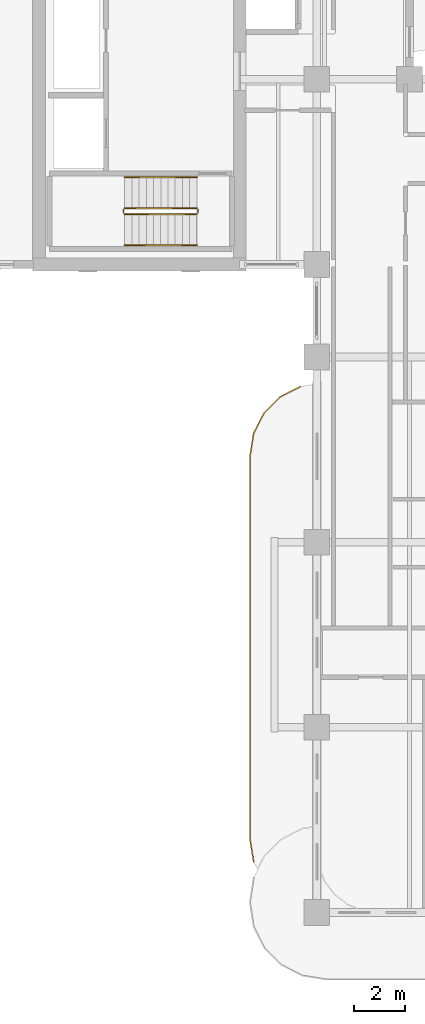
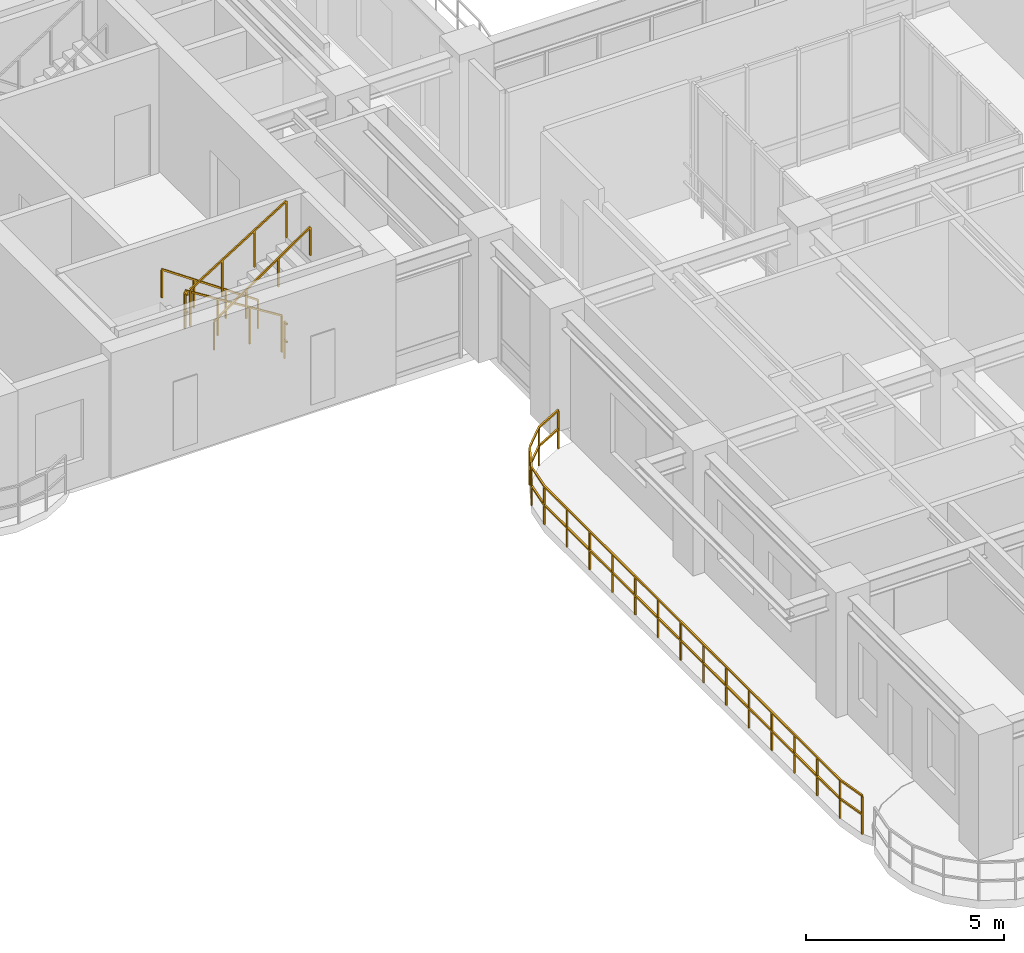
# One storey, part 17 of 20: 7 railings.
"""IFC4 building model written with IfcOpenShell, lengths in metres."""

from ifc_helpers import new_model, si_unit, derived_unit, direction, frame, origin, origin_2d, place, context, subcontext, project, spatial, rectangle, extrude, material, type_object, element, save


model = new_model("IFC4")

# Units and contexts
model_context = context("Model", 3, precision=1e-05, world=origin(), true_north=direction((0.0, 1.0)))
body_context = subcontext(model_context, "Body", "Model", "MODEL_VIEW")
ifc_project = project(units=[si_unit("LENGTHUNIT", "METRE"), si_unit("AREAUNIT", "SQUARE_METRE"), si_unit("VOLUMEUNIT", "CUBIC_METRE"), si_unit("PLANEANGLEUNIT", "RADIAN"), si_unit("MASSUNIT", "GRAM", prefix="KILO"), si_unit("THERMODYNAMICTEMPERATUREUNIT", "KELVIN"), si_unit("POWERUNIT", "WATT"), derived_unit("THERMALTRANSMITTANCEUNIT", [(si_unit("POWERUNIT", "WATT"), 1), (si_unit("AREAUNIT", "SQUARE_METRE"), -1), (si_unit("THERMODYNAMICTEMPERATUREUNIT", "KELVIN"), -1)])], contexts=[model_context])

# Site, building, storey
site_placement = place(None, origin())
site = spatial("IfcSite", under=ifc_project, at=site_placement, CompositionType="ELEMENT")
building_placement = place(site_placement, origin())
building = spatial("IfcBuilding", under=site, at=building_placement, Name="Zahravan Archway Hotel and Residences", CompositionType="ELEMENT")
storey_placement = place(building_placement, frame((0.0, 0.0, 161.85009765625)))
storey = spatial("IfcBuildingStorey", under=building, at=storey_placement, Name="L40", CompositionType="ELEMENT", Elevation=161.85009765625)

# Railings
ifc_material_1 = material(Name="Bronze & Laminated Glass Balustrade", Category="glass")
railing_type_1 = type_object("IfcRailingType", Name="RL-BAL-1200", PredefinedType="BALUSTRADE", material=ifc_material_1)
railing_1_placement = place(storey_placement, frame((11.939453125, 1.96923828125, 0.0)))
element("IfcRailing", 1, at=railing_1_placement, inside=storey, type_object=railing_type_1, Name="L40 Balustrade RL-SLB-BAL-L40-WA-1", PredefinedType="BALUSTRADE", context=body_context, shape_type="SweptSolid", body=[
    extrude(rectangle(XDim=0.048095703125, YDim=0.048095703125, at=origin_2d()), frame((0.0, 0.0, 1.17578125), z_axis=(-0.156314005608, 0.987707411965, 0.0), x_axis=(-0.987707411965, -0.156314005608, 0.0)), (0.0, 0.0, 1.0), 0.891845703125),
    extrude(rectangle(XDim=0.048095703125, YDim=0.048095703125, at=origin_2d()), frame((0.0, 0.0, 0.60009765625), z_axis=(-0.156314005608, 0.987707411965, 0.0), x_axis=(-0.987707411965, -0.156314005608, 0.0)), (0.0, 0.0, 1.0), 0.891845703125),
    extrude(rectangle(XDim=0.048095703125, YDim=0.048095703125, at=origin_2d()), frame((-0.139404296875, 0.880859375, 1.17578125), z_axis=(0.0, 1.0, 0.0), x_axis=(-1.0, 0.0, 0.0)), (0.0, 0.0, 1.0), 14.89990234375),
    extrude(rectangle(XDim=0.048095703125, YDim=0.048095703125, at=origin_2d()), frame((-0.139404296875, 0.880859375, 0.60009765625), z_axis=(0.0, 1.0, 0.0), x_axis=(-1.0, 0.0, 0.0)), (0.0, 0.0, 1.0), 14.89990234375),
    extrude(rectangle(XDim=0.048095703125, YDim=0.048095703125, at=origin_2d()), frame((-0.139404296875, 15.78076171875, 1.17578125), z_axis=(0.156356282588, 0.987700720307, 0.0), x_axis=(-0.987700720307, 0.156356282588, 0.0)), (0.0, 0.0, 1.0), 0.8916015625),
    extrude(rectangle(XDim=0.048095703125, YDim=0.048095703125, at=origin_2d()), frame((-0.139404296875, 15.78076171875, 0.60009765625), z_axis=(0.156356282588, 0.987700720307, 0.0), x_axis=(-0.987700720307, 0.156356282588, 0.0)), (0.0, 0.0, 1.0), 0.8916015625),
    extrude(rectangle(XDim=0.048095703125, YDim=0.048095703125, at=origin_2d()), frame((0.0, 16.661376953125, 1.17578125), z_axis=(0.45388067135, 0.891062476022, 0.0), x_axis=(-0.891062476022, 0.45388067135, 0.0)), (0.0, 0.0, 1.0), 0.891845703125),
    extrude(rectangle(XDim=0.048095703125, YDim=0.048095703125, at=origin_2d()), frame((0.0, 16.661376953125, 0.60009765625), z_axis=(0.45388067135, 0.891062476022, 0.0), x_axis=(-0.891062476022, 0.45388067135, 0.0)), (0.0, 0.0, 1.0), 0.891845703125),
    extrude(rectangle(XDim=0.048095703125, YDim=0.048095703125, at=origin_2d()), frame((0.40478515625, 17.4560546875, 1.17578125), z_axis=(0.70724367147, 0.706969864397, 0.0), x_axis=(-0.706969864397, 0.70724367147, 0.0)), (0.0, 0.0, 1.0), 0.8916015625),
    extrude(rectangle(XDim=0.048095703125, YDim=0.048095703125, at=origin_2d()), frame((0.40478515625, 17.4560546875, 0.60009765625), z_axis=(0.70724367147, 0.706969864397, 0.0), x_axis=(-0.706969864397, 0.70724367147, 0.0)), (0.0, 0.0, 1.0), 0.8916015625),
    extrude(rectangle(XDim=0.048095703125, YDim=0.048095703125, at=origin_2d()), frame((1.035400390625, 18.08642578125, 1.17578125), z_axis=(0.891006060389, 0.453991409995, 0.0), x_axis=(-0.453991409995, 0.891006060389, 0.0)), (0.0, 0.0, 1.0), 0.8916015625),
    extrude(rectangle(XDim=0.048095703125, YDim=0.048095703125, at=origin_2d()), frame((1.035400390625, 18.08642578125, 0.60009765625), z_axis=(0.891006060389, 0.453991409995, 0.0), x_axis=(-0.453991409995, 0.891006060389, 0.0)), (0.0, 0.0, 1.0), 0.8916015625),
    extrude(rectangle(XDim=0.0419921875, YDim=0.0419921875, at=origin_2d()), origin(), (0.0, 0.0, 1.0), 1.15185546875),
    extrude(rectangle(XDim=0.0419921875, YDim=0.0419921875, at=origin_2d()), frame((-0.139404296875, 0.880859375, 0.0)), (0.0, 0.0, 1.0), 1.15185546875),
    extrude(rectangle(XDim=0.0419921875, YDim=0.0419921875, at=origin_2d()), frame((-0.139404296875, 2.027099609375, 0.0)), (0.0, 0.0, 1.0), 1.15185546875),
    extrude(rectangle(XDim=0.0419921875, YDim=0.0419921875, at=origin_2d()), frame((-0.139404296875, 3.173095703125, 0.0)), (0.0, 0.0, 1.0), 1.15185546875),
    extrude(rectangle(XDim=0.0419921875, YDim=0.0419921875, at=origin_2d()), frame((-0.139404296875, 4.3193359375, 0.0)), (0.0, 0.0, 1.0), 1.15185546875),
    extrude(rectangle(XDim=0.0419921875, YDim=0.0419921875, at=origin_2d()), frame((-0.139404296875, 5.46533203125, 0.0)), (0.0, 0.0, 1.0), 1.15185546875),
    extrude(rectangle(XDim=0.0419921875, YDim=0.0419921875, at=origin_2d()), frame((-0.139404296875, 6.611572265625, 0.0)), (0.0, 0.0, 1.0), 1.15185546875),
    extrude(rectangle(XDim=0.0419921875, YDim=0.0419921875, at=origin_2d()), frame((-0.139404296875, 7.7578125, 0.0)), (0.0, 0.0, 1.0), 1.15185546875),
    extrude(rectangle(XDim=0.0419921875, YDim=0.0419921875, at=origin_2d()), frame((-0.139404296875, 8.90380859375, 0.0)), (0.0, 0.0, 1.0), 1.15185546875),
    extrude(rectangle(XDim=0.0419921875, YDim=0.0419921875, at=origin_2d()), frame((-0.139404296875, 10.050048828125, 0.0)), (0.0, 0.0, 1.0), 1.15185546875),
    extrude(rectangle(XDim=0.0419921875, YDim=0.0419921875, at=origin_2d()), frame((-0.139404296875, 11.1962890625, 0.0)), (0.0, 0.0, 1.0), 1.15185546875),
    extrude(rectangle(XDim=0.0419921875, YDim=0.0419921875, at=origin_2d()), frame((-0.139404296875, 12.34228515625, 0.0)), (0.0, 0.0, 1.0), 1.15185546875),
    extrude(rectangle(XDim=0.0419921875, YDim=0.0419921875, at=origin_2d()), frame((-0.139404296875, 13.488525390625, 0.0)), (0.0, 0.0, 1.0), 1.15185546875),
    extrude(rectangle(XDim=0.0419921875, YDim=0.0419921875, at=origin_2d()), frame((-0.139404296875, 14.634521484375, 0.0)), (0.0, 0.0, 1.0), 1.15185546875),
    extrude(rectangle(XDim=0.0419921875, YDim=0.0419921875, at=origin_2d()), frame((-0.139404296875, 15.78076171875, 0.0)), (0.0, 0.0, 1.0), 1.15185546875),
    extrude(rectangle(XDim=0.0419921875, YDim=0.0419921875, at=origin_2d()), frame((0.0, 16.661376953125, 0.0)), (0.0, 0.0, 1.0), 1.15185546875),
    extrude(rectangle(XDim=0.0419921875, YDim=0.0419921875, at=origin_2d()), frame((0.40478515625, 17.4560546875, 0.0)), (0.0, 0.0, 1.0), 1.15185546875),
    extrude(rectangle(XDim=0.0419921875, YDim=0.0419921875, at=origin_2d()), frame((1.035400390625, 18.08642578125, 0.0)), (0.0, 0.0, 1.0), 1.15185546875),
    extrude(rectangle(XDim=0.0419921875, YDim=0.0419921875, at=origin_2d()), frame((1.829833984375, 18.4912109375, 0.0)), (0.0, 0.0, 1.0), 1.15185546875),
])
ifc_material_2 = material(Name="Painted Tubular Steel", Category="steel")
railing_type_2 = type_object("IfcRailingType", Name="RL-STG-1150", PredefinedType="GUARDRAIL", material=ifc_material_2)
railing_2_placement = place(storey_placement, frame((9.72998046875, 27.389892578125, 0.1748046875)))
element("IfcRailing", 2, at=railing_2_placement, inside=storey, type_object=railing_type_2, Name="L40 ST-B1 stair guard 1", PredefinedType="GUARDRAIL", context=body_context, shape_type="SweptSolid", body=[
    extrude(rectangle(XDim=0.048095703125, YDim=0.048095703125, at=origin_2d()), frame((0.0, 0.0, 1.1259765625), z_axis=(-0.848002457836, 0.0, 0.529992293815), x_axis=(0.0, -1.0, 0.0)), (0.0, 0.0, 1.0), 3.302001953125),
    extrude(rectangle(XDim=0.0419921875, YDim=0.0419921875, at=origin_2d()), origin(), (0.0, 0.0, 1.0), 1.101806640625),
    extrude(rectangle(XDim=0.0419921875, YDim=0.0419921875, at=origin_2d()), frame((-0.933349609375, 0.0, 0.583251953125)), (0.0, 0.0, 1.0), 1.101806640625),
    extrude(rectangle(XDim=0.0419921875, YDim=0.0419921875, at=origin_2d()), frame((-1.86669921875, 0.0, 1.166748046875)), (0.0, 0.0, 1.0), 1.101806640625),
    extrude(rectangle(XDim=0.0419921875, YDim=0.0419921875, at=origin_2d()), frame((-2.800048828125, 0.0, 1.75)), (0.0, 0.0, 1.0), 1.101806640625),
])
railing_3_placement = place(storey_placement, frame((6.8798828125, 27.340087890625, 1.9248046875)))
element("IfcRailing", 3, at=railing_3_placement, inside=storey, type_object=railing_type_2, Name="L40 ST-B1 stair guard 2", PredefinedType="GUARDRAIL", context=body_context, shape_type="SweptSolid", body=[
    extrude(rectangle(XDim=0.048095703125, YDim=0.048095703125, at=origin_2d()), frame((0.0, 0.0, 1.1259765625), z_axis=(0.0, -1.0, 0.0), x_axis=(1.0, 0.0, 0.0)), (0.0, 0.0, 1.0), 0.14013671875),
    extrude(rectangle(XDim=0.048095703125, YDim=0.048095703125, at=origin_2d()), frame((0.0, 0.0, 0.574951171875), z_axis=(0.0, -1.0, 0.0), x_axis=(1.0, 0.0, 0.0)), (0.0, 0.0, 1.0), 0.14013671875),
    extrude(rectangle(XDim=0.0419921875, YDim=0.0419921875, at=origin_2d()), origin(), (0.0, 0.0, 1.0), 1.101806640625),
])
railing_4_placement = place(storey_placement, frame((6.929931640625, 27.14990234375, 2.099853515625)))
element("IfcRailing", 4, at=railing_4_placement, inside=storey, type_object=railing_type_2, Name="L40 ST-B1 stair guard 3", PredefinedType="GUARDRAIL", context=body_context, shape_type="SweptSolid", body=[
    extrude(rectangle(XDim=0.048095703125, YDim=0.048095703125, at=origin_2d()), frame((0.0, 0.0, 1.1259765625), z_axis=(0.848002457836, 0.0, 0.529992293815), x_axis=(0.0, 1.0, 0.0)), (0.0, 0.0, 1.0), 3.302001953125),
    extrude(rectangle(XDim=0.0419921875, YDim=0.0419921875, at=origin_2d()), origin(), (0.0, 0.0, 1.0), 1.101806640625),
    extrude(rectangle(XDim=0.0419921875, YDim=0.0419921875, at=origin_2d()), frame((0.933349609375, 0.0, 0.583251953125)), (0.0, 0.0, 1.0), 1.101806640625),
    extrude(rectangle(XDim=0.0419921875, YDim=0.0419921875, at=origin_2d()), frame((1.86669921875, 0.0, 1.166748046875)), (0.0, 0.0, 1.0), 1.101806640625),
    extrude(rectangle(XDim=0.0419921875, YDim=0.0419921875, at=origin_2d()), frame((2.800048828125, 0.0, 1.75)), (0.0, 0.0, 1.0), 1.101806640625),
])
railing_5_placement = place(storey_placement, frame((9.780029296875, 27.340087890625, 0.0)))
element("IfcRailing", 5, at=railing_5_placement, inside=storey, type_object=railing_type_2, Name="L40 ST-B1 stair guard 4", PredefinedType="GUARDRAIL", context=body_context, shape_type="SweptSolid", body=[
    extrude(rectangle(XDim=0.048095703125, YDim=0.048095703125, at=origin_2d()), frame((0.0, 0.0, 1.1259765625), z_axis=(0.0, -1.0, 0.0), x_axis=(1.0, 0.0, 0.0)), (0.0, 0.0, 1.0), 0.14013671875),
    extrude(rectangle(XDim=0.048095703125, YDim=0.048095703125, at=origin_2d()), frame((0.0, 0.0, 0.574951171875), z_axis=(0.0, -1.0, 0.0), x_axis=(1.0, 0.0, 0.0)), (0.0, 0.0, 1.0), 0.14013671875),
    extrude(rectangle(XDim=0.0419921875, YDim=0.0419921875, at=origin_2d()), origin(), (0.0, 0.0, 1.0), 1.101806640625),
])
ifc_material_3 = material(Name="Brushed Stainless Steel", Category="steel")
railing_type_3 = type_object("IfcRailingType", Name="RL-STH-900", PredefinedType="HANDRAIL", material=ifc_material_3)
railing_6_placement = place(storey_placement, frame((9.72998046875, 28.590087890625, 0.1748046875)))
element("IfcRailing", 6, at=railing_6_placement, inside=storey, type_object=railing_type_3, Name="L40 ST-B1 stair handrail 1", PredefinedType="HANDRAIL", context=body_context, shape_type="SweptSolid", body=[
    extrude(rectangle(XDim=0.048095703125, YDim=0.048095703125, at=origin_2d()), frame((0.0, 0.0, 0.8759765625), z_axis=(-0.824039827795, 0.0, 0.566531872191), x_axis=(0.0, -1.0, 0.0)), (0.0, 0.0, 1.0), 3.39794921875),
    extrude(rectangle(XDim=0.0419921875, YDim=0.0419921875, at=origin_2d()), origin(), (0.0, 0.0, 1.0), 0.851806640625),
    extrude(rectangle(XDim=0.0419921875, YDim=0.0419921875, at=origin_2d()), frame((-0.933349609375, 0.0, 0.6416015625)), (0.0, 0.0, 1.0), 0.851806640625),
    extrude(rectangle(XDim=0.0419921875, YDim=0.0419921875, at=origin_2d()), frame((-1.86669921875, 0.0, 1.283447265625)), (0.0, 0.0, 1.0), 0.851806640625),
    extrude(rectangle(XDim=0.0419921875, YDim=0.0419921875, at=origin_2d()), frame((-2.800048828125, 0.0, 1.925048828125)), (0.0, 0.0, 1.0), 0.851806640625),
])
railing_7_placement = place(storey_placement, frame((6.929931640625, 25.949951171875, 2.099853515625)))
element("IfcRailing", 7, at=railing_7_placement, inside=storey, type_object=railing_type_3, Name="L40 ST-B1 stair handrail 2", PredefinedType="HANDRAIL", context=body_context, shape_type="SweptSolid", body=[
    extrude(rectangle(XDim=0.048095703125, YDim=0.048095703125, at=origin_2d()), frame((0.0, 0.0, 0.8759765625), z_axis=(0.824039827795, 0.0, 0.566531872191), x_axis=(0.0, 1.0, 0.0)), (0.0, 0.0, 1.0), 3.39794921875),
    extrude(rectangle(XDim=0.0419921875, YDim=0.0419921875, at=origin_2d()), origin(), (0.0, 0.0, 1.0), 0.851806640625),
    extrude(rectangle(XDim=0.0419921875, YDim=0.0419921875, at=origin_2d()), frame((0.933349609375, 0.0, 0.6416015625)), (0.0, 0.0, 1.0), 0.851806640625),
    extrude(rectangle(XDim=0.0419921875, YDim=0.0419921875, at=origin_2d()), frame((1.86669921875, 0.0, 1.283447265625)), (0.0, 0.0, 1.0), 0.851806640625),
    extrude(rectangle(XDim=0.0419921875, YDim=0.0419921875, at=origin_2d()), frame((2.800048828125, 0.0, 1.925048828125)), (0.0, 0.0, 1.0), 0.851806640625),
])

save(model, "model.ifc")
